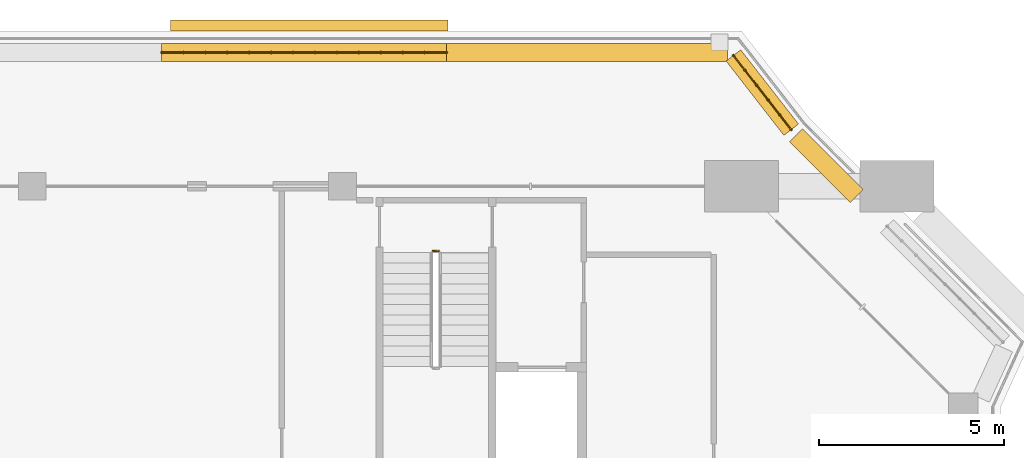
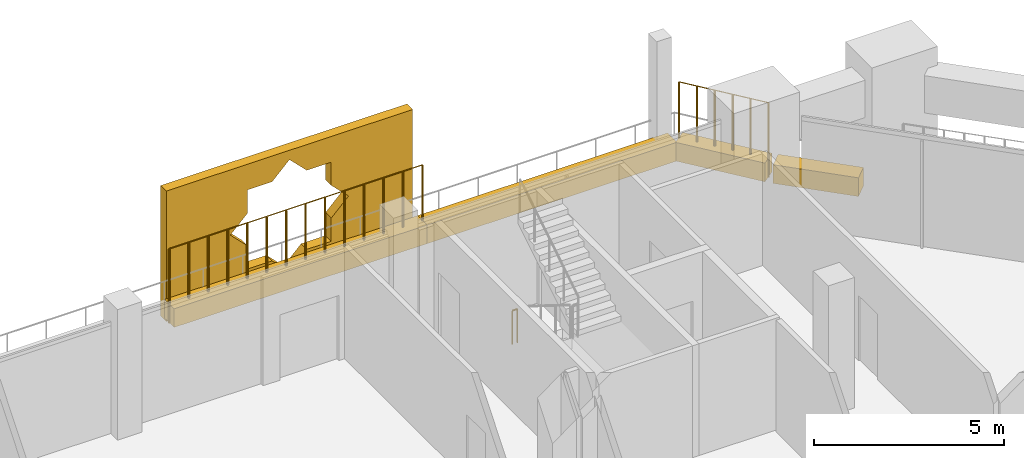
# One storey, part 22 of 22: 5 coverings, 3 railings.
"""IFC4 building model written with IfcOpenShell, lengths in metres."""

from ifc_helpers import new_model, si_unit, direction, frame, origin, origin_2d, place, context, subcontext, project, spatial, polyline, rectangle, circle, outline, extrude, material, material_profile, profile_set, type_object, element, save


model = new_model("IFC4")

# Units and contexts
model_context = context("Model", 3, precision=1e-05, world=origin(), true_north=direction((0.0, 1.0)))
body_context = subcontext(model_context, "Body", "Model", "MODEL_VIEW")
ifc_project = project(units=[si_unit("LENGTHUNIT", "METRE"), si_unit("AREAUNIT", "SQUARE_METRE"), si_unit("VOLUMEUNIT", "CUBIC_METRE"), si_unit("PLANEANGLEUNIT", "RADIAN"), si_unit("MASSUNIT", "GRAM", prefix="KILO")], contexts=[model_context])

# Site, building, storey
site_placement = place(None, origin())
site = spatial("IfcSite", under=ifc_project, at=site_placement, CompositionType="ELEMENT")
building_placement = place(site_placement, origin())
building = spatial("IfcBuilding", under=site, at=building_placement, Name="Kawkab Arch Medical Tower", CompositionType="ELEMENT")
storey_placement = place(building_placement, frame((0.0, 0.0, 286.0)))
storey = spatial("IfcBuildingStorey", under=building, at=storey_placement, Name="L66", CompositionType="ELEMENT", Elevation=286.0)

# Coverings
ifc_material_1 = material(Name="Bronze anodised aluminium mashrabiya panel, eight-point star pattern", Category="aluminium")
ifc_material_profile_1 = material_profile(ifc_material_1, outline(polyline([(-3.75, -2.10009765625), (3.75, -2.10009765625), (3.75, 2.10009765625), (-3.75, 2.10009765625), (-3.75, -2.10009765625)]), holes=[polyline([(1.800048828125, 0.0), (1.272705078125, 0.527099609375), (1.272705078125, 1.272705078125), (0.527099609375, 1.272705078125), (0.0, 1.800048828125), (-0.527099609375, 1.272705078125), (-1.272705078125, 1.272705078125), (-1.272705078125, 0.527099609375), (-1.800048828125, 0.0), (-1.272705078125, -0.527099609375), (-1.272705078125, -1.272705078125), (-0.527099609375, -1.272705078125), (0.0, -1.800048828125), (0.527099609375, -1.272705078125), (1.272705078125, -1.272705078125), (1.272705078125, -0.527099609375), (1.800048828125, 0.0)])]), Name="Mashrabiya panel 7500x4200")
ifc_profile_set_1 = profile_set([ifc_material_profile_1], Name="Bronze anodised aluminium mashrabiya panel, eight-point star pattern")
covering_type_1 = type_object("IfcCoveringType", Name="Mashrabiya panel 7500 x 4200", PredefinedType="USERDEFINED", material=ifc_profile_set_1)
covering_1_placement = place(storey_placement, frame((41.09765625, 4.199951171875, 1.699951171875), z_axis=(0.0, 1.0, 0.0), x_axis=(-1.0, 0.0, 0.0)))
element("IfcCovering", 1, at=covering_1_placement, inside=storey, type_object=covering_type_1, Name="Mashrabiya panel L66.LOG-01-02.5", ObjectType="SCREEN", PredefinedType="USERDEFINED", context=body_context, shape_type="SweptSolid", body=[
    extrude(outline(polyline([(-3.75, -2.10009765625), (3.75, -2.10009765625), (3.75, 2.10009765625), (-3.75, 2.10009765625), (-3.75, -2.10009765625)]), holes=[polyline([(1.800048828125, 0.0), (1.272705078125, 0.527099609375), (1.272705078125, 1.272705078125), (0.527099609375, 1.272705078125), (0.0, 1.800048828125), (-0.527099609375, 1.272705078125), (-1.272705078125, 1.272705078125), (-1.272705078125, 0.527099609375), (-1.800048828125, 0.0), (-1.272705078125, -0.527099609375), (-1.272705078125, -1.272705078125), (-0.527099609375, -1.272705078125), (0.0, -1.800048828125), (0.527099609375, -1.272705078125), (1.272705078125, -1.272705078125), (1.272705078125, -0.527099609375), (1.800048828125, 0.0)])]), origin(), (0.0, 0.0, 1.0), 0.300048828125),
])
ifc_material_2 = material(Name="Planting soil in a precast trough", Category="concrete")
ifc_material_profile_2 = material_profile(ifc_material_2, rectangle(XDim=0.5, YDim=0.60009765625, at=origin_2d()), Name="Trough 500x600")
ifc_profile_set_2 = profile_set([ifc_material_profile_2], Name="Planting soil in a precast trough")
covering_type_2 = type_object("IfcCoveringType", Name="Planter trough 500 x 600", PredefinedType="USERDEFINED", material=ifc_profile_set_2)
covering_2_placement = place(storey_placement, frame((37.10498046875, 3.6201171875, 0.300048828125), z_axis=(1.0, 0.0, 0.0), x_axis=(0.0, 1.0, 0.0)))
element("IfcCovering", 2, at=covering_2_placement, inside=storey, type_object=covering_type_2, Name="Planter L66.LOG-01-02.17", ObjectType="PLANTER", PredefinedType="USERDEFINED", context=body_context, shape_type="SweptSolid", body=[
    extrude(rectangle(XDim=0.5, YDim=0.60009765625, at=origin_2d()), origin(), (0.0, 0.0, 1.0), 7.7060546875),
])
covering_3_placement = place(storey_placement, frame((44.81103515625, 3.6201171875, 0.300048828125), z_axis=(1.0, 0.0, 0.0), x_axis=(0.0, 1.0, 0.0)))
element("IfcCovering", 3, at=covering_3_placement, inside=storey, type_object=covering_type_2, Name="Planter L66.LOG-01-02.18", ObjectType="PLANTER", PredefinedType="USERDEFINED", context=body_context, shape_type="SweptSolid", body=[
    extrude(rectangle(XDim=0.5, YDim=0.60009765625, at=origin_2d()), origin(), (0.0, 0.0, 1.0), 7.60498046875),
])
covering_4_placement = place(storey_placement, frame((52.577880859375, 3.541015625, 0.300048828125), z_axis=(0.614099956103, -0.789228258436, 0.0), x_axis=(0.789228258436, 0.614099956103, 0.0)))
element("IfcCovering", 4, at=covering_4_placement, inside=storey, type_object=covering_type_2, Name="Planter L66.LOG-01-02.19", ObjectType="PLANTER", PredefinedType="USERDEFINED", context=body_context, shape_type="SweptSolid", body=[
    extrude(rectangle(XDim=0.5, YDim=0.60009765625, at=origin_2d()), origin(), (0.0, 0.0, 1.0), 2.545654296875),
])
covering_5_placement = place(storey_placement, frame((54.27294921875, 1.383056640625, 0.300048828125), z_axis=(0.707106781187, -0.707106781187, 0.0), x_axis=(0.707106781187, 0.707106781187, 0.0)))
element("IfcCovering", 5, at=covering_5_placement, inside=storey, type_object=covering_type_2, Name="Planter L66.LOG-01-02.20", ObjectType="PLANTER", PredefinedType="USERDEFINED", context=body_context, shape_type="SweptSolid", body=[
    extrude(rectangle(XDim=0.5, YDim=0.60009765625, at=origin_2d()), origin(), (0.0, 0.0, 1.0), 2.3291015625),
])

# Railings
ifc_material_3 = material(Name="Bronze anodised aluminium trellis for climbing plants", Category="aluminium")
railing_type_1 = type_object("IfcRailingType", Name="Planting trellis 2400", PredefinedType="USERDEFINED", material=ifc_material_3)
railing_1_placement = place(storey_placement, frame((37.10498046875, 3.6201171875, 0.0)))
element("IfcRailing", 6, at=railing_1_placement, inside=storey, type_object=railing_type_1, Name="Planting trellis L66.LOG-01-02.17", ObjectType="TRELLIS", PredefinedType="USERDEFINED", context=body_context, shape_type="SweptSolid", body=[
    extrude(circle(Radius=0.01513671875, at=origin_2d()), frame((0.0, 0.0, 2.384765625), z_axis=(1.0, 0.0, 0.0), x_axis=(0.0, 1.0, 0.0)), (0.0, 0.0, 1.0), 7.7060546875),
    extrude(circle(Radius=0.030029296875, at=origin_2d()), origin(), (0.0, 0.0, 1.0), 2.369873046875),
    extrude(circle(Radius=0.030029296875, at=origin_2d()), frame((0.5927734375, 0.0, 0.0)), (0.0, 0.0, 1.0), 2.369873046875),
    extrude(circle(Radius=0.030029296875, at=origin_2d()), frame((1.185546875, 0.0, 0.0)), (0.0, 0.0, 1.0), 2.369873046875),
    extrude(circle(Radius=0.030029296875, at=origin_2d()), frame((1.7783203125, 0.0, 0.0)), (0.0, 0.0, 1.0), 2.369873046875),
    extrude(circle(Radius=0.030029296875, at=origin_2d()), frame((2.37109375, 0.0, 0.0)), (0.0, 0.0, 1.0), 2.369873046875),
    extrude(circle(Radius=0.030029296875, at=origin_2d()), frame((2.9638671875, 0.0, 0.0)), (0.0, 0.0, 1.0), 2.369873046875),
    extrude(circle(Radius=0.030029296875, at=origin_2d()), frame((3.556640625, 0.0, 0.0)), (0.0, 0.0, 1.0), 2.369873046875),
    extrude(circle(Radius=0.030029296875, at=origin_2d()), frame((4.1494140625, 0.0, 0.0)), (0.0, 0.0, 1.0), 2.369873046875),
    extrude(circle(Radius=0.030029296875, at=origin_2d()), frame((4.7421875, 0.0, 0.0)), (0.0, 0.0, 1.0), 2.369873046875),
    extrude(circle(Radius=0.030029296875, at=origin_2d()), frame((5.3349609375, 0.0, 0.0)), (0.0, 0.0, 1.0), 2.369873046875),
    extrude(circle(Radius=0.030029296875, at=origin_2d()), frame((5.927734375, 0.0, 0.0)), (0.0, 0.0, 1.0), 2.369873046875),
    extrude(circle(Radius=0.030029296875, at=origin_2d()), frame((6.5205078125, 0.0, 0.0)), (0.0, 0.0, 1.0), 2.369873046875),
    extrude(circle(Radius=0.030029296875, at=origin_2d()), frame((7.11328125, 0.0, 0.0)), (0.0, 0.0, 1.0), 2.369873046875),
    extrude(circle(Radius=0.030029296875, at=origin_2d()), frame((7.7060546875, 0.0, 0.0)), (0.0, 0.0, 1.0), 2.369873046875),
])
railing_2_placement = place(storey_placement, frame((52.577880859375, 3.541015625, 0.0)))
element("IfcRailing", 7, at=railing_2_placement, inside=storey, type_object=railing_type_1, Name="Planting trellis L66.LOG-01-02.19", ObjectType="TRELLIS", PredefinedType="USERDEFINED", context=body_context, shape_type="SweptSolid", body=[
    extrude(circle(Radius=0.01513671875, at=origin_2d()), frame((0.0, 0.0, 2.384765625), z_axis=(0.614099956103, -0.789228258436, 0.0), x_axis=(0.789228258436, 0.614099956103, 0.0)), (0.0, 0.0, 1.0), 2.545654296875),
    extrude(circle(Radius=0.030029296875, at=origin_2d()), origin(), (0.0, 0.0, 1.0), 2.369873046875),
    extrude(circle(Radius=0.030029296875, at=origin_2d()), frame((0.312744140625, -0.40185546875, 0.0)), (0.0, 0.0, 1.0), 2.369873046875),
    extrude(circle(Radius=0.030029296875, at=origin_2d()), frame((0.625244140625, -0.8037109375, 0.0)), (0.0, 0.0, 1.0), 2.369873046875),
    extrude(circle(Radius=0.030029296875, at=origin_2d()), frame((0.93798828125, -1.205322265625, 0.0)), (0.0, 0.0, 1.0), 2.369873046875),
    extrude(circle(Radius=0.030029296875, at=origin_2d()), frame((1.25048828125, -1.607177734375, 0.0)), (0.0, 0.0, 1.0), 2.369873046875),
    extrude(circle(Radius=0.030029296875, at=origin_2d()), frame((1.563232421875, -2.009033203125, 0.0)), (0.0, 0.0, 1.0), 2.369873046875),
])
ifc_material_4 = material(Name="Stainless steel", Category="steel")
railing_type_2 = type_object("IfcRailingType", Name="Stair guard 1100", PredefinedType="GUARDRAIL", material=ifc_material_4)
railing_3_placement = place(storey_placement, frame((44.449951171875, -1.75, 0.0)))
element("IfcRailing", 8, at=railing_3_placement, inside=storey, type_object=railing_type_2, Name="L66 ST5 stair guard 4", PredefinedType="GUARDRAIL", context=body_context, shape_type="SweptSolid", body=[
    extrude(circle(Radius=0.02392578125, at=origin_2d()), frame((0.0, 0.0, 1.076171875), z_axis=(1.0, 0.0, 0.0), x_axis=(0.0, 1.0, 0.0)), (0.0, 0.0, 1.0), 0.150146484375),
    extrude(circle(Radius=0.02099609375, at=origin_2d()), origin(), (0.0, 0.0, 1.0), 1.052001953125),
    extrude(circle(Radius=0.02099609375, at=origin_2d()), frame((0.150146484375, 0.0, 0.0)), (0.0, 0.0, 1.0), 1.052001953125),
])

save(model, "model.ifc")
